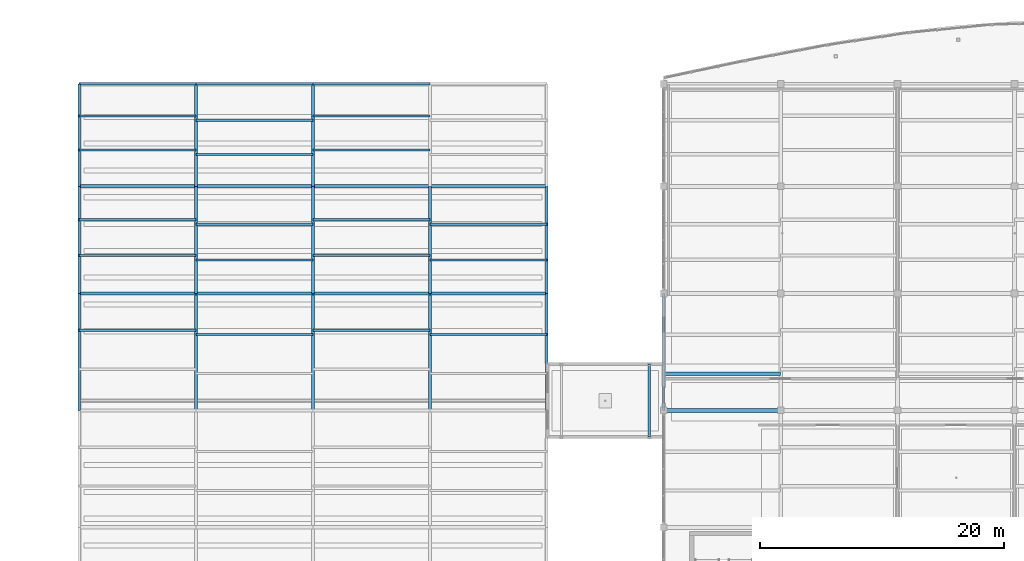
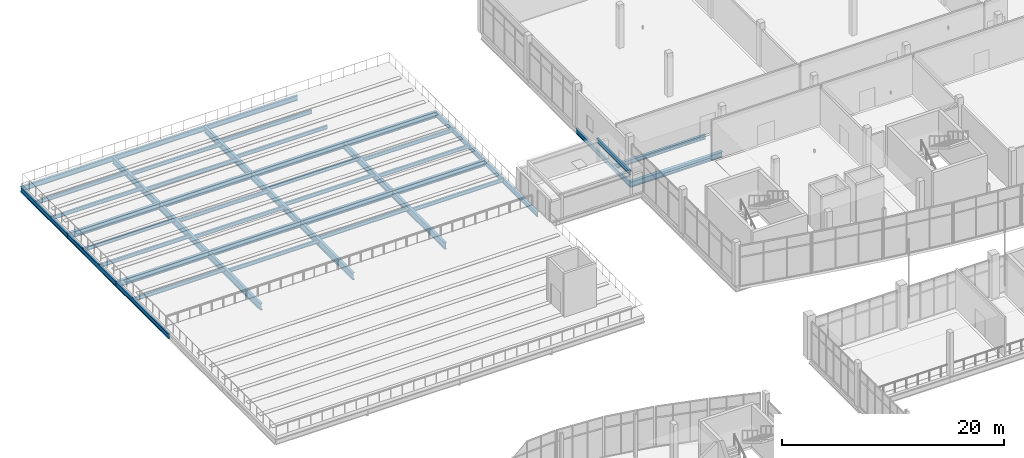
# One storey, part 72 of 157: 46 beams.
"""IFC4 building model written with IfcOpenShell, lengths in metres."""

from ifc_helpers import new_model, si_unit, direction, frame, origin, origin_2d, place, context, subcontext, project, spatial, i_section, extrude, material, material_profile, profile_set, type_object, element, save


model = new_model("IFC4")

# Units and contexts
model_context = context("Model", 3, precision=1e-05, world=origin(), true_north=direction((0.0, 1.0)))
body_context = subcontext(model_context, "Body", "Model", "MODEL_VIEW")
ifc_project = project(units=[si_unit("LENGTHUNIT", "METRE"), si_unit("AREAUNIT", "SQUARE_METRE"), si_unit("VOLUMEUNIT", "CUBIC_METRE"), si_unit("PLANEANGLEUNIT", "RADIAN"), si_unit("MASSUNIT", "GRAM", prefix="KILO")], contexts=[model_context])

# Site, building, storey
site_placement = place(None, origin())
site = spatial("IfcSite", under=ifc_project, at=site_placement, CompositionType="ELEMENT")
building_placement = place(site_placement, origin())
building = spatial("IfcBuilding", under=site, at=building_placement, Name="Chalmorin Arch Market", CompositionType="ELEMENT")
storey_placement = place(building_placement, frame((0.0, 0.0, 4.800048828125)))
storey = spatial("IfcBuildingStorey", under=building, at=storey_placement, Name="L01", CompositionType="ELEMENT", Elevation=4.800048828125)

# Beams
ifc_material = material(Name="Steel A992 Grade 50", Category="steel")
ifc_material_profile_1 = material_profile(ifc_material, i_section(OverallWidth=0.19091796875, OverallDepth=0.45703125, WebThickness=0.009033203125, FlangeThickness=0.014404296875, FilletRadius=0.02001953125, at=origin_2d()), Name="W18X50")
ifc_profile_set_1 = profile_set([ifc_material_profile_1], Name="Steel A992 Grade 50")
beam_type_1 = type_object("IfcBeamType", Name="FloorSteelBeam-W18X50", PredefinedType="BEAM", material=ifc_profile_set_1)
beam_1_placement = place(storey_placement, frame((46.800048828125, 89.0, 2.349853515625), z_axis=(0.0, 1.0, 0.0), x_axis=(-1.0, 0.0, 0.0)))
element("IfcBeam", 1, at=beam_1_placement, inside=storey, type_object=beam_type_1, Name="BM-W18B-1809", PredefinedType="BEAM", context=body_context, shape_type="SweptSolid", body=[
    extrude(i_section(OverallWidth=0.19091796875, OverallDepth=0.45703125, WebThickness=0.009033203125, FlangeThickness=0.014404296875, FilletRadius=0.02001953125, at=origin_2d()), origin(), (0.0, 0.0, 1.0), 6.0),
])
ifc_material_profile_2 = material_profile(ifc_material, i_section(OverallWidth=0.326904296875, OverallDepth=0.6220703125, WebThickness=0.015380859375, FlangeThickness=0.0244140625, FilletRadius=0.02392578125, at=origin_2d()), Name="W24X131")
ifc_profile_set_2 = profile_set([ifc_material_profile_2], Name="Steel A992 Grade 50")
beam_type_2 = type_object("IfcBeamType", Name="HeavyFloorGirder-W24X131", PredefinedType="BEAM", material=ifc_profile_set_2)
beam_2_placement = place(storey_placement, frame((48.0, 91.199951171875, -0.633056640625), z_axis=(1.0, 0.0, 0.0), x_axis=(0.0, 1.0, 0.0)))
element("IfcBeam", 2, at=beam_2_placement, inside=storey, type_object=beam_type_2, Name="BG-W24C-0882", PredefinedType="BEAM", context=body_context, shape_type="SweptSolid", body=[
    extrude(i_section(OverallWidth=0.326904296875, OverallDepth=0.6220703125, WebThickness=0.015380859375, FlangeThickness=0.0244140625, FilletRadius=0.02392578125, at=origin_2d()), origin(), (0.0, 0.0, 1.0), 9.60009765625),
])
ifc_material_profile_3 = material_profile(ifc_material, i_section(OverallWidth=0.256103515625, OverallDepth=0.693115234375, WebThickness=0.014404296875, FlangeThickness=0.023681640625, FilletRadius=0.02587890625, at=origin_2d()), Name="W27X114")
ifc_profile_set_3 = profile_set([ifc_material_profile_3], Name="Steel A992 Grade 50")
beam_type_3 = type_object("IfcBeamType", Name="LongSpanGirder-W27X114", PredefinedType="BEAM", material=ifc_profile_set_3)
for number, where, z_axis, x_axis, name in (
    (3, (0.0, 100.800048828125, -0.6884765625), (1.0, 0.0, 0.0), (0.0, 1.0, 0.0), "BG-W27B-0716"),
    (4, (0.0, 109.60009765625, -0.6884765625), (1.0, 0.0, 0.0), (0.0, 1.0, 0.0), "BG-W27B-0719"),
):
    element("IfcBeam", number, at=place(storey_placement, frame(where, z_axis=z_axis, x_axis=x_axis)), inside=storey, type_object=beam_type_3, Name=name, PredefinedType="BEAM", context=body_context, shape_type="SweptSolid", body=[
        extrude(i_section(OverallWidth=0.256103515625, OverallDepth=0.693115234375, WebThickness=0.014404296875, FlangeThickness=0.023681640625, FilletRadius=0.02587890625, at=origin_2d()), origin(), (0.0, 0.0, 1.0), 9.60009765625),
    ])
for number, where, z_axis, x_axis, name in (
    (5, (9.60009765625, 100.800048828125, -0.6884765625), (1.0, 0.0, 0.0), (0.0, 1.0, 0.0), "BG-W27B-0730"),
    (6, (9.60009765625, 109.60009765625, -0.6884765625), (1.0, 0.0, 0.0), (0.0, 1.0, 0.0), "BG-W27B-0732"),
):
    element("IfcBeam", number, at=place(storey_placement, frame(where, z_axis=z_axis, x_axis=x_axis)), inside=storey, type_object=beam_type_3, Name=name, PredefinedType="BEAM", context=body_context, shape_type="SweptSolid", body=[
        extrude(i_section(OverallWidth=0.256103515625, OverallDepth=0.693115234375, WebThickness=0.014404296875, FlangeThickness=0.023681640625, FilletRadius=0.02587890625, at=origin_2d()), origin(), (0.0, 0.0, 1.0), 9.599853515625),
    ])
for number, where, z_axis, x_axis, name in (
    (7, (19.199951171875, 100.800048828125, -0.6884765625), (1.0, 0.0, 0.0), (0.0, 1.0, 0.0), "BG-W27B-0741"),
    (8, (19.199951171875, 109.60009765625, -0.6884765625), (1.0, 0.0, 0.0), (0.0, 1.0, 0.0), "BG-W27B-0743"),
):
    element("IfcBeam", number, at=place(storey_placement, frame(where, z_axis=z_axis, x_axis=x_axis)), inside=storey, type_object=beam_type_3, Name=name, PredefinedType="BEAM", context=body_context, shape_type="SweptSolid", body=[
        extrude(i_section(OverallWidth=0.256103515625, OverallDepth=0.693115234375, WebThickness=0.014404296875, FlangeThickness=0.023681640625, FilletRadius=0.02587890625, at=origin_2d()), origin(), (0.0, 0.0, 1.0), 9.60009765625),
    ])
for number, where, z_axis, x_axis, name in (
    (9, (28.800048828125, 100.800048828125, -0.6884765625), (1.0, 0.0, 0.0), (0.0, 1.0, 0.0), "BG-W27B-0752"),
    (10, (28.800048828125, 109.60009765625, -0.6884765625), (1.0, 0.0, 0.0), (0.0, 1.0, 0.0), "BG-W27B-0754"),
):
    element("IfcBeam", number, at=place(storey_placement, frame(where, z_axis=z_axis, x_axis=x_axis)), inside=storey, type_object=beam_type_3, Name=name, PredefinedType="BEAM", context=body_context, shape_type="SweptSolid", body=[
        extrude(i_section(OverallWidth=0.256103515625, OverallDepth=0.693115234375, WebThickness=0.014404296875, FlangeThickness=0.023681640625, FilletRadius=0.02587890625, at=origin_2d()), origin(), (0.0, 0.0, 1.0), 9.599853515625),
    ])
ifc_material_profile_4 = material_profile(ifc_material, i_section(OverallWidth=0.264892578125, OverallDepth=0.7529296875, WebThickness=0.01318359375, FlangeThickness=0.01708984375, FilletRadius=0.028076171875, at=origin_2d()), Name="W30X99")
ifc_profile_set_4 = profile_set([ifc_material_profile_4], Name="Steel A992 Grade 50")
beam_type_4 = type_object("IfcBeamType", Name="LongSpanGirder-W30X99", PredefinedType="BEAM", material=ifc_profile_set_4)
beam_3_placement = place(storey_placement, frame((9.60009765625, 91.199951171875, -0.718505859375), z_axis=(0.0, 1.0, 0.0), x_axis=(-1.0, 0.0, 0.0)))
element("IfcBeam", 11, at=beam_3_placement, inside=storey, type_object=beam_type_4, Name="BG-W30B-0718", PredefinedType="BEAM", context=body_context, shape_type="SweptSolid", body=[
    extrude(i_section(OverallWidth=0.264892578125, OverallDepth=0.7529296875, WebThickness=0.01318359375, FlangeThickness=0.01708984375, FilletRadius=0.028076171875, at=origin_2d()), origin(), (0.0, 0.0, 1.0), 9.60009765625),
])
beam_4_placement = place(storey_placement, frame((9.60009765625, 100.800048828125, -0.718505859375), z_axis=(0.0, 1.0, 0.0), x_axis=(-1.0, 0.0, 0.0)))
element("IfcBeam", 12, at=beam_4_placement, inside=storey, type_object=beam_type_4, Name="BG-W30B-0721", PredefinedType="BEAM", context=body_context, shape_type="SweptSolid", body=[
    extrude(i_section(OverallWidth=0.264892578125, OverallDepth=0.7529296875, WebThickness=0.01318359375, FlangeThickness=0.01708984375, FilletRadius=0.028076171875, at=origin_2d()), origin(), (0.0, 0.0, 1.0), 8.800048828125),
])
beam_5_placement = place(storey_placement, frame((9.60009765625, 109.60009765625, -0.718505859375), z_axis=(0.0, 1.0, 0.0), x_axis=(-1.0, 0.0, 0.0)))
element("IfcBeam", 13, at=beam_5_placement, inside=storey, type_object=beam_type_4, Name="BG-W30B-0724", PredefinedType="BEAM", context=body_context, shape_type="SweptSolid", body=[
    extrude(i_section(OverallWidth=0.264892578125, OverallDepth=0.7529296875, WebThickness=0.01318359375, FlangeThickness=0.01708984375, FilletRadius=0.028076171875, at=origin_2d()), origin(), (0.0, 0.0, 1.0), 8.39990234375),
])
beam_6_placement = place(storey_placement, frame((19.199951171875, 91.199951171875, -0.718505859375), z_axis=(0.0, 1.0, 0.0), x_axis=(-1.0, 0.0, 0.0)))
element("IfcBeam", 14, at=beam_6_placement, inside=storey, type_object=beam_type_4, Name="BG-W30B-0731", PredefinedType="BEAM", context=body_context, shape_type="SweptSolid", body=[
    extrude(i_section(OverallWidth=0.264892578125, OverallDepth=0.7529296875, WebThickness=0.01318359375, FlangeThickness=0.01708984375, FilletRadius=0.028076171875, at=origin_2d()), origin(), (0.0, 0.0, 1.0), 9.60009765625),
])
beam_7_placement = place(storey_placement, frame((19.199951171875, 100.800048828125, -0.718505859375), z_axis=(0.0, 1.0, 0.0), x_axis=(-1.0, 0.0, 0.0)))
element("IfcBeam", 15, at=beam_7_placement, inside=storey, type_object=beam_type_4, Name="BG-W30B-0733", PredefinedType="BEAM", context=body_context, shape_type="SweptSolid", body=[
    extrude(i_section(OverallWidth=0.264892578125, OverallDepth=0.7529296875, WebThickness=0.01318359375, FlangeThickness=0.01708984375, FilletRadius=0.028076171875, at=origin_2d()), origin(), (0.0, 0.0, 1.0), 8.800048828125),
])
beam_8_placement = place(storey_placement, frame((19.199951171875, 109.60009765625, -0.718505859375), z_axis=(0.0, 1.0, 0.0), x_axis=(-1.0, 0.0, 0.0)))
element("IfcBeam", 16, at=beam_8_placement, inside=storey, type_object=beam_type_4, Name="BG-W30B-0735", PredefinedType="BEAM", context=body_context, shape_type="SweptSolid", body=[
    extrude(i_section(OverallWidth=0.264892578125, OverallDepth=0.7529296875, WebThickness=0.01318359375, FlangeThickness=0.01708984375, FilletRadius=0.028076171875, at=origin_2d()), origin(), (0.0, 0.0, 1.0), 8.39990234375),
])
beam_9_placement = place(storey_placement, frame((28.800048828125, 91.199951171875, -0.718505859375), z_axis=(0.0, 1.0, 0.0), x_axis=(-1.0, 0.0, 0.0)))
element("IfcBeam", 17, at=beam_9_placement, inside=storey, type_object=beam_type_4, Name="BG-W30B-0742", PredefinedType="BEAM", context=body_context, shape_type="SweptSolid", body=[
    extrude(i_section(OverallWidth=0.264892578125, OverallDepth=0.7529296875, WebThickness=0.01318359375, FlangeThickness=0.01708984375, FilletRadius=0.028076171875, at=origin_2d()), origin(), (0.0, 0.0, 1.0), 9.60009765625),
])
beam_10_placement = place(storey_placement, frame((28.800048828125, 100.800048828125, -0.718505859375), z_axis=(0.0, 1.0, 0.0), x_axis=(-1.0, 0.0, 0.0)))
element("IfcBeam", 18, at=beam_10_placement, inside=storey, type_object=beam_type_4, Name="BG-W30B-0744", PredefinedType="BEAM", context=body_context, shape_type="SweptSolid", body=[
    extrude(i_section(OverallWidth=0.264892578125, OverallDepth=0.7529296875, WebThickness=0.01318359375, FlangeThickness=0.01708984375, FilletRadius=0.028076171875, at=origin_2d()), origin(), (0.0, 0.0, 1.0), 8.800048828125),
])
ifc_material_profile_5 = material_profile(ifc_material, i_section(OverallWidth=0.208984375, OverallDepth=0.532958984375, WebThickness=0.01025390625, FlangeThickness=0.015625, FilletRadius=0.02197265625, at=origin_2d()), Name="W21X62")
ifc_profile_set_5 = profile_set([ifc_material_profile_5], Name="Steel A992 Grade 50")
beam_type_5 = type_object("IfcBeamType", Name="PerimeterSpandrelBeam-W21X62", PredefinedType="SPANDREL", material=ifc_profile_set_5)
beam_11_placement = place(storey_placement, frame((0.0, 91.199951171875, -0.608642578125), z_axis=(0.0, 1.0, 0.0), x_axis=(-1.0, 0.0, 0.0)))
element("IfcBeam", 19, at=beam_11_placement, inside=storey, type_object=beam_type_5, Name="SP-W21-0717", PredefinedType="SPANDREL", context=body_context, shape_type="SweptSolid", body=[
    extrude(i_section(OverallWidth=0.208984375, OverallDepth=0.532958984375, WebThickness=0.01025390625, FlangeThickness=0.015625, FilletRadius=0.02197265625, at=origin_2d()), origin(), (0.0, 0.0, 1.0), 9.60009765625),
])
beam_12_placement = place(storey_placement, frame((0.0, 100.800048828125, -0.608642578125), z_axis=(0.0, 1.0, 0.0), x_axis=(-1.0, 0.0, 0.0)))
element("IfcBeam", 20, at=beam_12_placement, inside=storey, type_object=beam_type_5, Name="SP-W21-0720", PredefinedType="SPANDREL", context=body_context, shape_type="SweptSolid", body=[
    extrude(i_section(OverallWidth=0.208984375, OverallDepth=0.532958984375, WebThickness=0.01025390625, FlangeThickness=0.015625, FilletRadius=0.02197265625, at=origin_2d()), origin(), (0.0, 0.0, 1.0), 8.800048828125),
])
beam_13_placement = place(storey_placement, frame((0.0, 118.0, -0.608642578125), z_axis=(1.0, 0.0, 0.0), x_axis=(0.0, 1.0, 0.0)))
element("IfcBeam", 21, at=beam_13_placement, inside=storey, type_object=beam_type_5, Name="SP-W21-0722", PredefinedType="SPANDREL", context=body_context, shape_type="SweptSolid", body=[
    extrude(i_section(OverallWidth=0.208984375, OverallDepth=0.532958984375, WebThickness=0.01025390625, FlangeThickness=0.015625, FilletRadius=0.02197265625, at=origin_2d()), origin(), (0.0, 0.0, 1.0), 9.60009765625),
])
beam_14_placement = place(storey_placement, frame((0.0, 109.60009765625, -0.608642578125), z_axis=(0.0, 1.0, 0.0), x_axis=(-1.0, 0.0, 0.0)))
element("IfcBeam", 22, at=beam_14_placement, inside=storey, type_object=beam_type_5, Name="SP-W21-0723", PredefinedType="SPANDREL", context=body_context, shape_type="SweptSolid", body=[
    extrude(i_section(OverallWidth=0.208984375, OverallDepth=0.532958984375, WebThickness=0.01025390625, FlangeThickness=0.015625, FilletRadius=0.02197265625, at=origin_2d()), origin(), (0.0, 0.0, 1.0), 8.39990234375),
])
beam_15_placement = place(storey_placement, frame((9.60009765625, 118.0, -0.608642578125), z_axis=(1.0, 0.0, 0.0), x_axis=(0.0, 1.0, 0.0)))
element("IfcBeam", 23, at=beam_15_placement, inside=storey, type_object=beam_type_5, Name="SP-W21-0734", PredefinedType="SPANDREL", context=body_context, shape_type="SweptSolid", body=[
    extrude(i_section(OverallWidth=0.208984375, OverallDepth=0.532958984375, WebThickness=0.01025390625, FlangeThickness=0.015625, FilletRadius=0.02197265625, at=origin_2d()), origin(), (0.0, 0.0, 1.0), 9.599853515625),
])
for number, where, z_axis, x_axis, name in (
    (24, (19.199951171875, 118.0, -0.608642578125), (1.0, 0.0, 0.0), (0.0, 1.0, 0.0), "SP-W21-0745"),
    (25, (38.39990234375, 91.199951171875, -0.608642578125), (0.0, 1.0, 0.0), (-1.0, 0.0, 0.0), "SP-W21-0753"),
):
    element("IfcBeam", number, at=place(storey_placement, frame(where, z_axis=z_axis, x_axis=x_axis)), inside=storey, type_object=beam_type_5, Name=name, PredefinedType="SPANDREL", context=body_context, shape_type="SweptSolid", body=[
        extrude(i_section(OverallWidth=0.208984375, OverallDepth=0.532958984375, WebThickness=0.01025390625, FlangeThickness=0.015625, FilletRadius=0.02197265625, at=origin_2d()), origin(), (0.0, 0.0, 1.0), 9.60009765625),
    ])
beam_16_placement = place(storey_placement, frame((38.39990234375, 100.800048828125, -0.608642578125), z_axis=(0.0, 1.0, 0.0), x_axis=(-1.0, 0.0, 0.0)))
element("IfcBeam", 26, at=beam_16_placement, inside=storey, type_object=beam_type_5, Name="SP-W21-0755", PredefinedType="SPANDREL", context=body_context, shape_type="SweptSolid", body=[
    extrude(i_section(OverallWidth=0.208984375, OverallDepth=0.532958984375, WebThickness=0.01025390625, FlangeThickness=0.015625, FilletRadius=0.02197265625, at=origin_2d()), origin(), (0.0, 0.0, 1.0), 8.800048828125),
])
beam_17_placement = place(storey_placement, frame((48.0, 91.199951171875, -0.588623046875), z_axis=(0.0, 1.0, 0.0), x_axis=(-1.0, 0.0, 0.0)))
element("IfcBeam", 27, at=beam_17_placement, inside=storey, type_object=beam_type_5, Name="SP-W21-0886", PredefinedType="SPANDREL", context=body_context, shape_type="SweptSolid", body=[
    extrude(i_section(OverallWidth=0.208984375, OverallDepth=0.532958984375, WebThickness=0.01025390625, FlangeThickness=0.015625, FilletRadius=0.02197265625, at=origin_2d()), origin(), (0.0, 0.0, 1.0), 9.60009765625),
])
ifc_material_profile_6 = material_profile(ifc_material, i_section(OverallWidth=0.178955078125, OverallDepth=0.409912109375, WebThickness=0.0087890625, FlangeThickness=0.014404296875, FilletRadius=0.01806640625, at=origin_2d()), Name="W16X45")
ifc_profile_set_6 = profile_set([ifc_material_profile_6], Name="Steel A992 Grade 50")
beam_type_6 = type_object("IfcBeamType", Name="SecondaryFloorJoist-W16X45", PredefinedType="JOIST", material=ifc_profile_set_6)
for number, where, z_axis, x_axis, name in (
    (28, (0.0, 97.780029296875, -0.547119140625), (1.0, 0.0, 0.0), (0.0, 1.0, 0.0), "BJ-W16A-0763"),
    (29, (0.0, 103.913330078125, -0.547119140625), (1.0, 0.0, 0.0), (0.0, 1.0, 0.0), "BJ-W16A-0764"),
    (30, (0.0, 106.8466796875, -0.547119140625), (1.0, 0.0, 0.0), (0.0, 1.0, 0.0), "BJ-W16A-0765"),
    (31, (0.0, 112.580078125, -0.547119140625), (1.0, 0.0, 0.0), (0.0, 1.0, 0.0), "BJ-W16A-0766"),
    (32, (0.0, 115.3798828125, -0.547119140625), (1.0, 0.0, 0.0), (0.0, 1.0, 0.0), "BJ-W16A-0767"),
):
    element("IfcBeam", number, at=place(storey_placement, frame(where, z_axis=z_axis, x_axis=x_axis)), inside=storey, type_object=beam_type_6, Name=name, PredefinedType="JOIST", context=body_context, shape_type="SweptSolid", body=[
        extrude(i_section(OverallWidth=0.178955078125, OverallDepth=0.409912109375, WebThickness=0.0087890625, FlangeThickness=0.014404296875, FilletRadius=0.01806640625, at=origin_2d()), origin(), (0.0, 0.0, 1.0), 9.60009765625),
    ])
for number, where, z_axis, x_axis, name in (
    (33, (9.60009765625, 97.419921875, -0.547119140625), (1.0, 0.0, 0.0), (0.0, 1.0, 0.0), "BJ-W16A-0773"),
    (34, (9.60009765625, 103.55322265625, -0.547119140625), (1.0, 0.0, 0.0), (0.0, 1.0, 0.0), "BJ-W16A-0774"),
    (35, (9.60009765625, 106.48681640625, -0.547119140625), (1.0, 0.0, 0.0), (0.0, 1.0, 0.0), "BJ-W16A-0775"),
    (36, (9.60009765625, 112.219970703125, -0.547119140625), (1.0, 0.0, 0.0), (0.0, 1.0, 0.0), "BJ-W16A-0776"),
    (37, (9.60009765625, 115.02001953125, -0.547119140625), (1.0, 0.0, 0.0), (0.0, 1.0, 0.0), "BJ-W16A-0777"),
):
    element("IfcBeam", number, at=place(storey_placement, frame(where, z_axis=z_axis, x_axis=x_axis)), inside=storey, type_object=beam_type_6, Name=name, PredefinedType="JOIST", context=body_context, shape_type="SweptSolid", body=[
        extrude(i_section(OverallWidth=0.178955078125, OverallDepth=0.409912109375, WebThickness=0.0087890625, FlangeThickness=0.014404296875, FilletRadius=0.01806640625, at=origin_2d()), origin(), (0.0, 0.0, 1.0), 9.599853515625),
    ])
for number, where, z_axis, x_axis, name in (
    (38, (19.199951171875, 97.780029296875, -0.547119140625), (1.0, 0.0, 0.0), (0.0, 1.0, 0.0), "BJ-W16A-0783"),
    (39, (19.199951171875, 103.913330078125, -0.547119140625), (1.0, 0.0, 0.0), (0.0, 1.0, 0.0), "BJ-W16A-0784"),
    (40, (19.199951171875, 106.8466796875, -0.547119140625), (1.0, 0.0, 0.0), (0.0, 1.0, 0.0), "BJ-W16A-0785"),
    (41, (19.199951171875, 112.580078125, -0.547119140625), (1.0, 0.0, 0.0), (0.0, 1.0, 0.0), "BJ-W16A-0786"),
    (42, (19.199951171875, 115.3798828125, -0.547119140625), (1.0, 0.0, 0.0), (0.0, 1.0, 0.0), "BJ-W16A-0787"),
):
    element("IfcBeam", number, at=place(storey_placement, frame(where, z_axis=z_axis, x_axis=x_axis)), inside=storey, type_object=beam_type_6, Name=name, PredefinedType="JOIST", context=body_context, shape_type="SweptSolid", body=[
        extrude(i_section(OverallWidth=0.178955078125, OverallDepth=0.409912109375, WebThickness=0.0087890625, FlangeThickness=0.014404296875, FilletRadius=0.01806640625, at=origin_2d()), origin(), (0.0, 0.0, 1.0), 9.60009765625),
    ])
for number, where, z_axis, x_axis, name in (
    (43, (28.800048828125, 97.419921875, -0.547119140625), (1.0, 0.0, 0.0), (0.0, 1.0, 0.0), "BJ-W16A-0793"),
    (44, (28.800048828125, 103.55322265625, -0.547119140625), (1.0, 0.0, 0.0), (0.0, 1.0, 0.0), "BJ-W16A-0794"),
    (45, (28.800048828125, 106.48681640625, -0.547119140625), (1.0, 0.0, 0.0), (0.0, 1.0, 0.0), "BJ-W16A-0795"),
):
    element("IfcBeam", number, at=place(storey_placement, frame(where, z_axis=z_axis, x_axis=x_axis)), inside=storey, type_object=beam_type_6, Name=name, PredefinedType="JOIST", context=body_context, shape_type="SweptSolid", body=[
        extrude(i_section(OverallWidth=0.178955078125, OverallDepth=0.409912109375, WebThickness=0.0087890625, FlangeThickness=0.014404296875, FilletRadius=0.01806640625, at=origin_2d()), origin(), (0.0, 0.0, 1.0), 9.599853515625),
    ])
ifc_material_profile_7 = material_profile(ifc_material, i_section(OverallWidth=0.280029296875, OverallDepth=0.462890625, WebThickness=0.0107421875, FlangeThickness=0.017333984375, FilletRadius=0.02001953125, at=origin_2d()), Name="W18X76")
ifc_profile_set_7 = profile_set([ifc_material_profile_7], Name="Steel A992 Grade 50")
beam_type_7 = type_object("IfcBeamType", Name="WorkshopSteelBeam-W18X76", PredefinedType="BEAM", material=ifc_profile_set_7)
beam_18_placement = place(storey_placement, frame((48.0, 94.219970703125, -0.553466796875), z_axis=(1.0, 0.0, 0.0), x_axis=(0.0, 1.0, 0.0)))
element("IfcBeam", 46, at=beam_18_placement, inside=storey, type_object=beam_type_7, Name="BM-W18C-0962", PredefinedType="BEAM", context=body_context, shape_type="SweptSolid", body=[
    extrude(i_section(OverallWidth=0.280029296875, OverallDepth=0.462890625, WebThickness=0.0107421875, FlangeThickness=0.017333984375, FilletRadius=0.02001953125, at=origin_2d()), origin(), (0.0, 0.0, 1.0), 9.60009765625),
])

save(model, "model.ifc")
